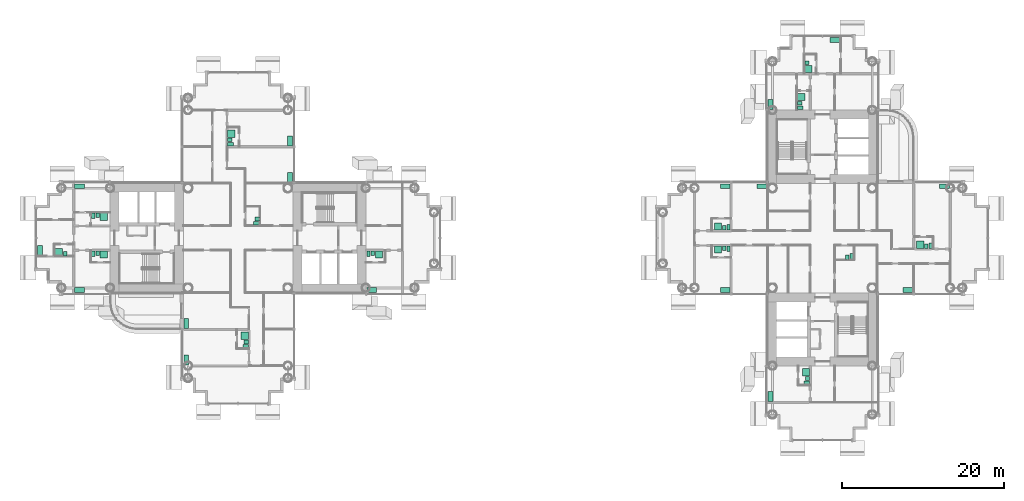
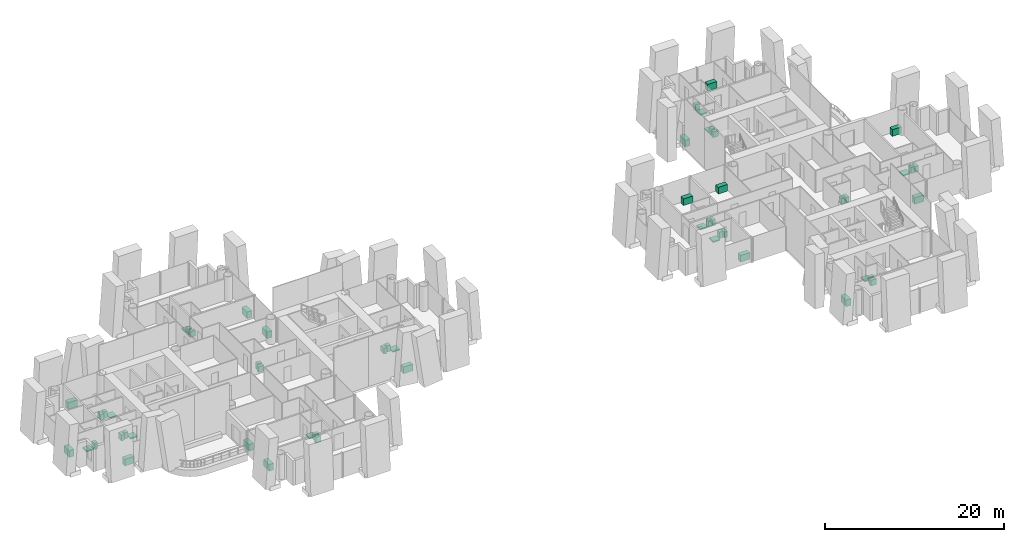
# One storey, part 24 of 24: 54 sanitary terminals.
"""IFC4 building model written with IfcOpenShell, lengths in metres."""

from ifc_helpers import new_model, si_unit, direction, frame, origin, origin_2d, place, context, subcontext, project, spatial, rectangle, extrude, material, type_object, element, save


model = new_model("IFC4")

# Units and contexts
model_context = context("Model", 3, precision=1e-05, world=origin(), true_north=direction((0.0, 1.0)))
body_context = subcontext(model_context, "Body", "Model", "MODEL_VIEW")
ifc_project = project(units=[si_unit("LENGTHUNIT", "METRE"), si_unit("AREAUNIT", "SQUARE_METRE"), si_unit("VOLUMEUNIT", "CUBIC_METRE"), si_unit("PLANEANGLEUNIT", "RADIAN"), si_unit("MASSUNIT", "GRAM", prefix="KILO")], contexts=[model_context])

# Site, building, storey
site_placement = place(None, origin())
site = spatial("IfcSite", under=ifc_project, at=site_placement, CompositionType="ELEMENT")
building_placement = place(site_placement, origin())
building = spatial("IfcBuilding", under=site, at=building_placement, Name="Ipe Terrace Towers", CompositionType="ELEMENT")
storey_placement = place(building_placement, frame((0.0, 0.0, 38.10009765625)))
storey = spatial("IfcBuildingStorey", under=building, at=storey_placement, Name="L09", CompositionType="ELEMENT", Elevation=38.10009765625)

# Sanitary terminals
ifc_material_1 = material(Name="Stainless sink unit", Category="metal")
sanitary_terminal_type_1 = type_object("IfcSanitaryTerminalType", Name="Kitchen sink unit", PredefinedType="SINK", material=ifc_material_1)
for number, where, z_axis, x_axis, name in (
    (1, (-29.6201171875, 7.469970703125, 0.0), (0.0, 0.0, 1.0), (0.0, -1.0, 0.0), "Kitchen sink unit"),
    (2, (-29.6201171875, 11.969970703125, 0.0), (0.0, 0.0, 1.0), (0.0, -1.0, 0.0), "Kitchen sink unit"),
    (3, (-42.3798828125, -10.530029296875, 0.0), (0.0, 0.0, 1.0), (0.0, 1.0, 0.0), "Kitchen sink unit"),
    (4, (-42.3798828125, -15.030029296875, 0.0), (0.0, 0.0, 1.0), (0.0, 1.0, 0.0), "Kitchen sink unit"),
    (5, (-19.530029296875, -6.3798828125, 0.0), (0.0, 0.0, 1.0), (-1.0, 0.0, 0.0), "Kitchen sink unit"),
    (6, (-55.530029296875, -6.3798828125, 0.0), (0.0, 0.0, 1.0), (-1.0, 0.0, 0.0), "Kitchen sink unit"),
    (7, (-55.530029296875, 6.3798828125, 0.0), (0.0, 0.0, 1.0), (1.0, 0.0, 0.0), "Kitchen sink unit"),
    (8, (-60.3798828125, -1.530029296875, 0.0), (0.0, 0.0, 1.0), (0.0, 1.0, 0.0), "Kitchen sink unit"),
    (9, (24.030029296875, -6.3798828125, 0.0), (0.0, 0.0, 1.0), (-1.0, 0.0, 0.0), "Kitchen sink unit"),
    (10, (28.530029296875, 6.3798828125, 0.0), (0.0, 0.0, 1.0), (1.0, 0.0, 0.0), "Kitchen sink unit"),
    (11, (24.030029296875, 6.3798828125, 0.0), (0.0, 0.0, 1.0), (1.0, 0.0, 0.0), "Kitchen sink unit"),
    (12, (51.030029296875, 6.3798828125, 0.0), (0.0, 0.0, 1.0), (1.0, 0.0, 0.0), "Kitchen sink unit"),
    (13, (46.530029296875, -6.3798828125, 0.0), (0.0, 0.0, 1.0), (-1.0, 0.0, 0.0), "Kitchen sink unit"),
    (14, (29.6201171875, 16.469970703125, 0.0), (0.0, 0.0, 1.0), (0.0, 1.0, 0.0), "Kitchen sink unit"),
    (15, (37.530029296875, 24.3798828125, 0.0), (0.0, 0.0, 1.0), (1.0, 0.0, 0.0), "Kitchen sink unit"),
    (16, (29.6201171875, -19.530029296875, 0.0), (0.0, 0.0, 1.0), (0.0, 1.0, 0.0), "Kitchen sink unit"),
):
    element("IfcSanitaryTerminal", number, at=place(storey_placement, frame(where, z_axis=z_axis, x_axis=x_axis)), inside=storey, type_object=sanitary_terminal_type_1, Name=name, PredefinedType="SINK", context=body_context, shape_type="SweptSolid", body=[
        extrude(rectangle(XDim=1.199951171875, YDim=0.60009765625, at=origin_2d()), origin(), (0.0, 0.0, 1.0), 0.89990234375),
    ])
ifc_material_2 = material(Name="Acrylic", Category="plastic")
sanitary_terminal_type_2 = type_object("IfcSanitaryTerminalType", Name="Shower tray", PredefinedType="SHOWER", material=ifc_material_2)
for number, where, z_axis, x_axis, name in (
    (17, (-36.830078125, 12.8701171875, 0.0), (0.0, 0.0, 1.0), (1.0, 0.0, 0.0), "Shower tray"),
    (18, (-35.169921875, -12.030029296875, 0.0), (0.0, 0.0, 1.0), (-1.0, 0.0, 0.0), "Shower tray"),
    (19, (-18.6298828125, -2.02001953125, 0.0), (0.0, 0.0, 1.0), (0.0, -1.0, 0.0), "Shower tray"),
    (20, (-52.530029296875, -2.02001953125, 0.0), (0.0, 0.0, 1.0), (0.0, -1.0, 0.0), "Shower tray"),
    (21, (-52.530029296875, 2.6298828125, 0.0), (0.0, 0.0, 1.0), (0.0, -1.0, 0.0), "Shower tray"),
    (22, (-58.080078125, -1.72998046875, 0.0), (0.0, 0.0, 1.0), (0.0, 1.0, 0.0), "Shower tray"),
    (23, (23.1298828125, -1.419921875, 0.0), (0.0, 0.0, 1.0), (0.0, -1.0, 0.0), "Shower tray"),
    (24, (23.1298828125, 1.419921875, 0.0), (0.0, 0.0, 1.0), (0.0, 1.0, 0.0), "Shower tray"),
    (25, (48.030029296875, -0.830078125, 0.0), (0.0, 0.0, 1.0), (0.0, 1.0, 0.0), "Shower tray"),
    (26, (33.3701171875, 17.3701171875, 0.0), (0.0, 0.0, 1.0), (1.0, 0.0, 0.0), "Shower tray"),
    (27, (34.27001953125, 20.820068359375, 0.0), (0.0, 0.0, 1.0), (1.0, 0.0, 0.0), "Shower tray"),
    (28, (33.97998046875, -16.530029296875, 0.0), (0.0, 0.0, 1.0), (-1.0, 0.0, 0.0), "Shower tray"),
):
    element("IfcSanitaryTerminal", number, at=place(storey_placement, frame(where, z_axis=z_axis, x_axis=x_axis)), inside=storey, type_object=sanitary_terminal_type_2, Name=name, PredefinedType="SHOWER", context=body_context, shape_type="SweptSolid", body=[
        extrude(rectangle(XDim=0.89990234375, YDim=0.89990234375, at=origin_2d()), origin(), (0.0, 0.0, 1.0), 0.14990234375),
    ])
ifc_material_3 = material(Name="Vitreous china", Category="ceramic")
sanitary_terminal_type_3 = type_object("IfcSanitaryTerminalType", Name="Wash basin", PredefinedType="WASHHANDBASIN", material=ifc_material_3)
for number, where, z_axis, x_axis, name in (
    (29, (-33.64501953125, 2.344970703125, -0.000244140625), (0.0, 0.0, 1.0), (-1.0, 0.0, 0.0), "Wash basin"),
    (30, (-37.0048828125, 12.094970703125, -0.000244140625), (0.0, 0.0, 1.0), (1.0, 0.0, 0.0), "Wash basin"),
    (31, (-34.9951171875, -12.804931640625, -0.000244140625), (0.0, 0.0, 1.0), (-1.0, 0.0, 0.0), "Wash basin"),
    (32, (-19.405029296875, -1.844970703125, -0.000244140625), (0.0, 0.0, 1.0), (0.0, -1.0, 0.0), "Wash basin"),
    (33, (-53.304931640625, -1.844970703125, -0.000244140625), (0.0, 0.0, 1.0), (0.0, -1.0, 0.0), "Wash basin"),
    (34, (-53.304931640625, 2.804931640625, -0.000244140625), (0.0, 0.0, 1.0), (0.0, -1.0, 0.0), "Wash basin"),
    (35, (-57.304931640625, -1.905029296875, -0.000244140625), (0.0, 0.0, 1.0), (0.0, 1.0, 0.0), "Wash basin"),
    (36, (39.054931640625, -2.35498046875, -0.000244140625), (0.0, 0.0, 1.0), (0.0, 1.0, 0.0), "Wash basin"),
    (37, (23.905029296875, -1.2451171875, -0.000244140625), (0.0, 0.0, 1.0), (0.0, -1.0, 0.0), "Wash basin"),
    (38, (23.905029296875, 1.2451171875, -0.000244140625), (0.0, 0.0, 1.0), (0.0, 1.0, 0.0), "Wash basin"),
    (39, (48.804931640625, -1.0048828125, -0.000244140625), (0.0, 0.0, 1.0), (0.0, 1.0, 0.0), "Wash basin"),
    (40, (33.195068359375, 16.594970703125, -0.000244140625), (0.0, 0.0, 1.0), (1.0, 0.0, 0.0), "Wash basin"),
    (41, (34.094970703125, 21.594970703125, -0.000244140625), (0.0, 0.0, 1.0), (1.0, 0.0, 0.0), "Wash basin"),
    (42, (34.155029296875, -17.304931640625, -0.000244140625), (0.0, 0.0, 1.0), (-1.0, 0.0, 0.0), "Wash basin"),
):
    element("IfcSanitaryTerminal", number, at=place(storey_placement, frame(where, z_axis=z_axis, x_axis=x_axis)), inside=storey, type_object=sanitary_terminal_type_3, Name=name, PredefinedType="WASHHANDBASIN", context=body_context, shape_type="SweptSolid", body=[
        extrude(rectangle(XDim=0.550048828125, YDim=0.449951171875, at=origin_2d()), origin(), (0.0, 0.0, 1.0), 0.85009765625),
    ])
ifc_material_4 = material(Name="Vitreous china", Category="ceramic")
sanitary_terminal_type_4 = type_object("IfcSanitaryTerminalType", Name="Water closet", PredefinedType="TOILETPAN", material=ifc_material_4)
for number, where, z_axis, x_axis, name in (
    (43, (-33.719970703125, 1.820068359375, 0.0), (0.0, 0.0, 1.0), (-1.0, 0.0, 0.0), "Water closet"),
    (44, (-36.929931640625, 11.570068359375, 0.0), (0.0, 0.0, 1.0), (1.0, 0.0, 0.0), "Water closet"),
    (45, (-35.070068359375, -13.330078125, 0.0), (0.0, 0.0, 1.0), (-1.0, 0.0, 0.0), "Water closet"),
    (46, (-19.929931640625, -1.919921875, 0.0), (0.0, 0.0, 1.0), (0.0, -1.0, 0.0), "Water closet"),
    (47, (-53.830078125, -1.919921875, 0.0), (0.0, 0.0, 1.0), (0.0, -1.0, 0.0), "Water closet"),
    (48, (-53.830078125, 2.72998046875, 0.0), (0.0, 0.0, 1.0), (0.0, -1.0, 0.0), "Water closet"),
    (49, (39.580078125, -2.280029296875, 0.0), (0.0, 0.0, 1.0), (0.0, 1.0, 0.0), "Water closet"),
    (50, (24.429931640625, -1.320068359375, 0.0), (0.0, 0.0, 1.0), (0.0, -1.0, 0.0), "Water closet"),
    (51, (24.429931640625, 1.320068359375, 0.0), (0.0, 0.0, 1.0), (0.0, 1.0, 0.0), "Water closet"),
    (52, (49.330078125, -0.929931640625, 0.0), (0.0, 0.0, 1.0), (0.0, 1.0, 0.0), "Water closet"),
    (53, (33.27001953125, 16.070068359375, 0.0), (0.0, 0.0, 1.0), (1.0, 0.0, 0.0), "Water closet"),
    (54, (34.080078125, -17.830078125, 0.0), (0.0, 0.0, 1.0), (-1.0, 0.0, 0.0), "Water closet"),
):
    element("IfcSanitaryTerminal", number, at=place(storey_placement, frame(where, z_axis=z_axis, x_axis=x_axis)), inside=storey, type_object=sanitary_terminal_type_4, Name=name, PredefinedType="TOILETPAN", context=body_context, shape_type="SweptSolid", body=[
        extrude(rectangle(XDim=0.699951171875, YDim=0.39990234375, at=origin_2d()), origin(), (0.0, 0.0, 1.0), 0.780029296875),
    ])

save(model, "model.ifc")
